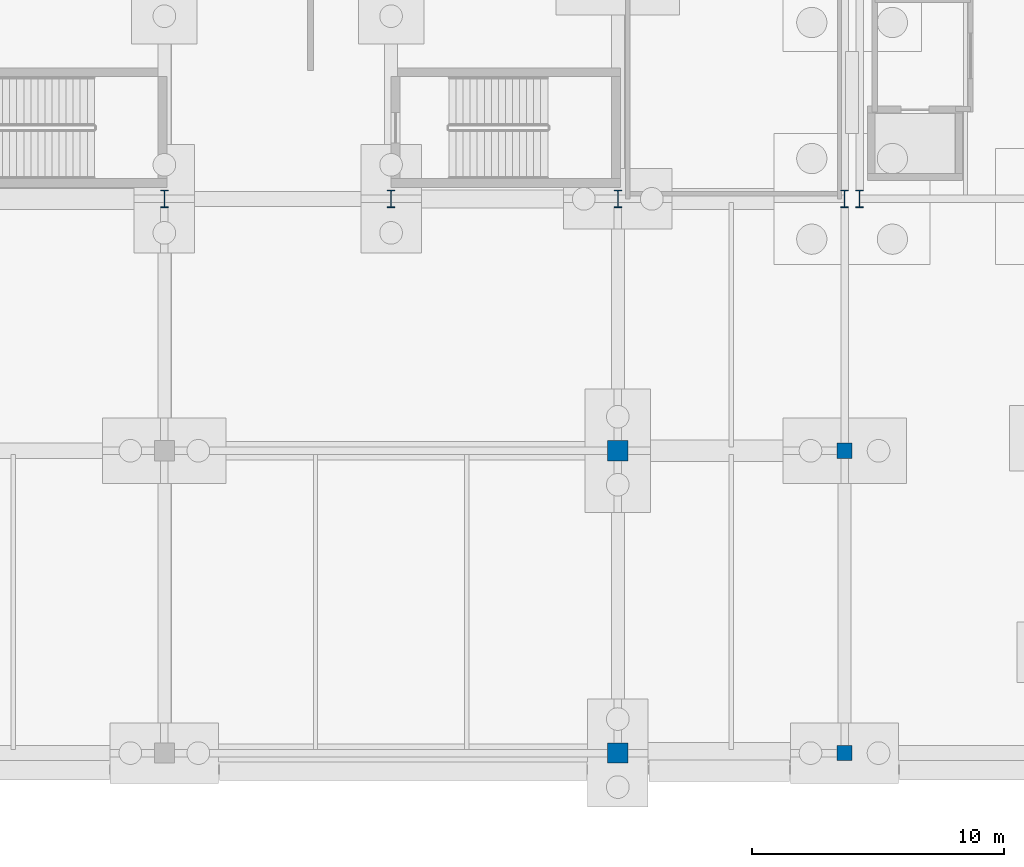
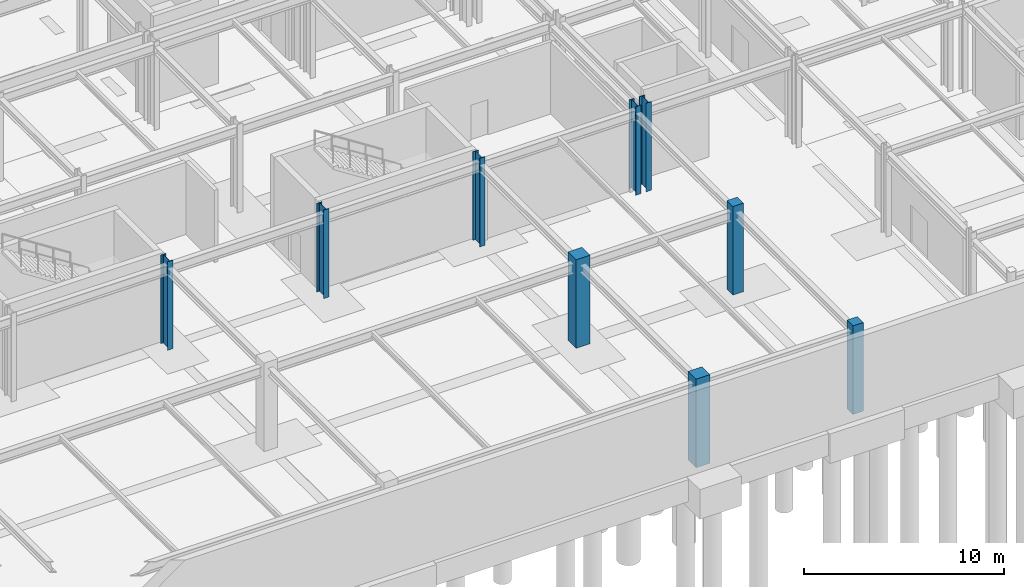
# One storey, part 18 of 65: 9 columns.
"""IFC4 building model written with IfcOpenShell, lengths in metres."""

import ifcopenshell
import ifcopenshell.guid

model = None  # the IFC model being written
_history = None  # IfcOwnerHistory: only IFC2X3 demands one
_inside = {}  # id of a spatial element -> (the spatial element, [elements in it])
_under = {}  # id of a project, library or spatial element -> (it, [spatial elements below it])
_declared = {}  # id of a project -> (the project, [libraries it declares])
_typed = {}  # id of a type object -> (the type object, [elements of that type])
_made_of = {}  # id of a material, layer set ... -> (it, [elements and type objects made of it])


def new_model(schema):
    """Start an empty IFC model of exactly this schema.

    Asked for "IFC4X3", IfcOpenShell would pick the latest addendum, in which some entities
    have other attributes; the version numbers below select the first issue.
    IFC2X3 requires an IfcOwnerHistory on every rooted entity: one is made here for all.
    """
    global model, _history
    if schema == "IFC4X3":
        model = ifcopenshell.file(schema_version=(4, 3, 0, 0))
    else:
        model = ifcopenshell.file(schema=schema)
    _inside.clear()
    _under.clear()
    _declared.clear()
    _typed.clear()
    _made_of.clear()
    _history = None
    if model.schema == "IFC2X3":
        org = make("IfcOrganization", Name="unknown")
        user = make(
            "IfcPersonAndOrganization",
            ThePerson=make("IfcPerson", FamilyName="unknown"),
            TheOrganization=org,
        )
        app = make(
            "IfcApplication",
            ApplicationDeveloper=org,
            Version="unknown",
            ApplicationFullName="unknown",
            ApplicationIdentifier="unknown",
        )
        _history = make(
            "IfcOwnerHistory",
            OwningUser=user,
            OwningApplication=app,
            ChangeAction="ADDED",
            CreationDate=0,
        )
    return model


def make(cls, **values):
    """One entity of the class cls with the attributes given. An attribute that is None is left unset."""
    return model.create_entity(
        cls, **{name: value for name, value in values.items() if value is not None}
    )


def rooted(cls, **values):
    """An entity with a GlobalId (a new one), such as an element, a storey or a relation."""
    return make(cls, GlobalId=ifcopenshell.guid.new(), OwnerHistory=_history, **values)


def si_unit(unit_type, name, prefix=None):
    """IfcSIUnit, for example si_unit("LENGTHUNIT", "METRE", prefix="MILLI")."""
    return make("IfcSIUnit", UnitType=unit_type, Prefix=prefix, Name=name)


def assignment(units):
    """IfcUnitAssignment: the units of a project."""
    return None if units is None else make("IfcUnitAssignment", Units=units)


def point(xyz):
    """IfcCartesianPoint."""
    return None if xyz is None else make("IfcCartesianPoint", Coordinates=xyz)


def direction(xyz):
    """IfcDirection."""
    return None if xyz is None else make("IfcDirection", DirectionRatios=xyz)


def frame(location, z_axis=None, x_axis=None):
    """IfcAxis2Placement3D, a coordinate frame: its origin and axes. An axis left out is left unset."""
    return make(
        "IfcAxis2Placement3D",
        Location=point(location),
        Axis=direction(z_axis),
        RefDirection=direction(x_axis),
    )


def frame_2d(location, x_axis=None):
    """IfcAxis2Placement2D, a coordinate frame in the plane: its origin and x axis."""
    return make(
        "IfcAxis2Placement2D", Location=point(location), RefDirection=direction(x_axis)
    )


def origin():
    """The frame at (0, 0, 0) with its axes left unset."""
    return frame((0.0, 0.0, 0.0))


def origin_2d():
    """The frame at (0, 0) in the plane with its x axis left unset."""
    return frame_2d((0.0, 0.0))


def place(relative_to, where):
    """IfcLocalPlacement: puts the frame where relative to a parent placement (None: the world)."""
    return make(
        "IfcLocalPlacement", PlacementRelTo=relative_to, RelativePlacement=where
    )


def context(
    kind, dimensions, precision=None, world=None, true_north=None, identifier=None
):
    """IfcGeometricRepresentationContext, for example the 3D "Model" context."""
    return make(
        "IfcGeometricRepresentationContext",
        ContextIdentifier=identifier,
        ContextType=kind,
        CoordinateSpaceDimension=dimensions,
        Precision=precision,
        WorldCoordinateSystem=world,
        TrueNorth=true_north,
    )


def subcontext(parent, identifier, kind, view, scale=None):
    """IfcGeometricRepresentationSubContext, for example "Body" below "Model"."""
    return make(
        "IfcGeometricRepresentationSubContext",
        ContextIdentifier=identifier,
        ContextType=kind,
        ParentContext=parent,
        TargetScale=scale,
        TargetView=view,
    )


def project(units=None, contexts=None):
    """IfcProject with its units and contexts."""
    return rooted(
        "IfcProject",
        Name="project",
        RepresentationContexts=contexts,
        UnitsInContext=assignment(units),
    )


def spatial(cls, under=None, at=None, **own):
    """A site, building, storey or space (cls), placed at a placement, below another one or the project."""
    s = rooted(cls, ObjectPlacement=at, **own)
    if under is not None:
        _under.setdefault(under.id(), (under, []))[1].append(s)
    return s


def profile(cls, at=None, kind="AREA", **sizes):
    """A parametric profile (cls). Its sizes go by their IFC names, for example OverallWidth=200.0."""
    return make(cls, ProfileType=kind, Position=at, **sizes)


def rectangle(**sizes):
    """IfcRectangleProfileDef."""
    return profile("IfcRectangleProfileDef", **sizes)


def i_section(**sizes):
    """IfcIShapeProfileDef."""
    return profile("IfcIShapeProfileDef", **sizes)


def extrude(swept, where, along, depth):
    """IfcExtrudedAreaSolid: the profile swept, set in the frame where, extruded along a direction by depth."""
    return make(
        "IfcExtrudedAreaSolid",
        SweptArea=swept,
        Position=where,
        ExtrudedDirection=direction(along),
        Depth=depth,
    )


def shape(context_of_items, identifier, shape_type, items):
    """IfcShapeRepresentation: the items that make up one representation, for example the "Body"."""
    return make(
        "IfcShapeRepresentation",
        ContextOfItems=context_of_items,
        RepresentationIdentifier=identifier,
        RepresentationType=shape_type,
        Items=items,
    )


def material(Name=None, Category=None):
    """IfcMaterial."""
    return make("IfcMaterial", Name=Name, Category=Category)


def material_profile(
    of_material, cross_section, Name=None, Category=None, Priority=None
):
    """IfcMaterialProfile: a cross section and its material."""
    return make(
        "IfcMaterialProfile",
        Name=Name,
        Material=of_material,
        Profile=cross_section,
        Priority=Priority,
        Category=Category,
    )


def profile_set(profiles, Name=None, composite=None):
    """IfcMaterialProfileSet."""
    return make(
        "IfcMaterialProfileSet",
        Name=Name,
        MaterialProfiles=profiles,
        CompositeProfile=composite,
    )


def made_of(thing, what):
    """Note that an element or type object is made of a material, layer set ...; save() writes the relation."""
    if what is not None:
        _made_of.setdefault(what.id(), (what, []))[1].append(thing)
    return thing


def type_object(cls, material=None, **own):
    """A type object (cls), such as IfcWallType, which elements share."""
    return made_of(rooted(cls, **own), material)


def element(
    cls,
    number,
    at=None,
    inside=None,
    cuts=None,
    type_object=None,
    material=None,
    context=None,
    identifier="Body",
    shape_type=None,
    held_by="IfcProductDefinitionShape",
    body=None,
    shapes=None,
    **own,
):
    """One element of the class cls, such as IfcWall. Its Tag is "e" and its number.

    at: its placement. inside: the storey or other place that contains it. cuts: it is an
    opening in that element (IfcRelVoidsElement). A single representation is given by context,
    identifier, shape_type and body (its items); several are given by shapes. held_by: the class
    of the entity that holds the representations. save() writes the other relations.
    """
    e = rooted(cls, Tag="e%d" % number, ObjectPlacement=at, **own)
    if body is not None:
        shapes = [shape(context, identifier, shape_type, body)]
    if shapes is not None:
        e.Representation = make(held_by, Representations=shapes)
    if inside is not None:
        _inside.setdefault(inside.id(), (inside, []))[1].append(e)
    if cuts is not None:
        rooted(
            "IfcRelVoidsElement", RelatingBuildingElement=cuts, RelatedOpeningElement=e
        )
    if type_object is not None:
        _typed.setdefault(type_object.id(), (type_object, []))[1].append(e)
    return made_of(e, material)


def aggregate(whole, parts):
    """IfcRelAggregates: a whole, such as a stair, and the parts it consists of."""
    return rooted("IfcRelAggregates", RelatingObject=whole, RelatedObjects=parts)


def save(model, path):
    """Write the relations noted so far, then the file.

    IfcRelAggregates (storeys below a building ...), IfcRelContainedInSpatialStructure (elements
    in a storey), IfcRelDefinesByType, IfcRelAssociatesMaterial and IfcRelDeclares: one each for
    every whole, place, type object, material and project.
    """
    for whole, parts in _under.values():
        aggregate(whole, parts)
    for where, things in _inside.values():
        rooted(
            "IfcRelContainedInSpatialStructure",
            RelatedElements=things,
            RelatingStructure=where,
        )
    for kind, things in _typed.values():
        rooted("IfcRelDefinesByType", RelatedObjects=things, RelatingType=kind)
    for what, things in _made_of.values():
        rooted("IfcRelAssociatesMaterial", RelatedObjects=things, RelatingMaterial=what)
    for by, libraries in _declared.values():
        rooted("IfcRelDeclares", RelatingContext=by, RelatedDefinitions=libraries)
    model.write(path)


model = new_model("IFC4")

# Units and contexts
model_context = context("Model", 3, precision=1e-05, world=origin(), true_north=direction((0.0, 1.0)))
body_context = subcontext(model_context, "Body", "Model", "MODEL_VIEW")
ifc_project = project(units=[si_unit("LENGTHUNIT", "METRE"), si_unit("AREAUNIT", "SQUARE_METRE"), si_unit("VOLUMEUNIT", "CUBIC_METRE"), si_unit("PLANEANGLEUNIT", "RADIAN"), si_unit("MASSUNIT", "GRAM", prefix="KILO")], contexts=[model_context])

# Site, building, storey
site_placement = place(None, origin())
site = spatial("IfcSite", under=ifc_project, at=site_placement, CompositionType="ELEMENT")
building_placement = place(site_placement, origin())
building = spatial("IfcBuilding", under=site, at=building_placement, Name="Kaldris Quays Convention Centre", CompositionType="ELEMENT")
storey_placement = place(building_placement, frame((0.0, 0.0, -5.39990234375)))
storey = spatial("IfcBuildingStorey", under=building, at=storey_placement, Name="B1", CompositionType="ELEMENT", Elevation=-5.39990234375)

# Columns
ifc_material_1 = material(Name="Steel S355J2", Category="steel")
ifc_material_profile_1 = material_profile(ifc_material_1, i_section(OverallWidth=0.300048828125, OverallDepth=0.699951171875, WebThickness=0.01708984375, FlangeThickness=0.031982421875, FilletRadius=0.027099609375, at=origin_2d()), Name="HEB 700")
ifc_profile_set_1 = profile_set([ifc_material_profile_1], Name="Steel S355J2")
column_type_1 = type_object("IfcColumnType", Name="STRUCTURAL COLUMN CL05", PredefinedType="COLUMN", material=ifc_profile_set_1)
for number, where, z_axis, x_axis, name in (
    (1, (119.0, 38.0, 0.0), (0.0, 0.0, 1.0), (1.0, 0.0, 0.0), "B1 V4 Column CL05 (119.00, 38.00)"),
    (2, (128.0, 38.0, 0.0), (0.0, 0.0, 1.0), (1.0, 0.0, 0.0), "B1 V4 Column CL05 (128.00, 38.00)"),
    (3, (137.0, 38.0, 0.0), (0.0, 0.0, 1.0), (1.0, 0.0, 0.0), "B1 V4 Column CL05 (137.00, 38.00)"),
    (4, (146.0, 38.0, 0.0), (0.0, 0.0, 1.0), (1.0, 0.0, 0.0), "B1 V4 Column CL05 (146.00, 38.00)"),
    (5, (146.60009765625, 38.0, 0.0), (0.0, 0.0, 1.0), (1.0, 0.0, 0.0), "B1 V4 Column CL05 (146.60, 38.00)"),
):
    element("IfcColumn", number, at=place(storey_placement, frame(where, z_axis=z_axis, x_axis=x_axis)), inside=storey, type_object=column_type_1, Name=name, PredefinedType="COLUMN", context=body_context, shape_type="SweptSolid", body=[
        extrude(i_section(OverallWidth=0.300048828125, OverallDepth=0.699951171875, WebThickness=0.01708984375, FlangeThickness=0.031982421875, FilletRadius=0.027099609375, at=origin_2d()), origin(), (0.0, 0.0, 1.0), 5.39990234375),
    ])
ifc_material_2 = material(Name="Concrete C40/50", Category="concrete")
ifc_material_profile_2 = material_profile(ifc_material_2, rectangle(XDim=0.800048828125, YDim=0.800048828125, at=origin_2d()), Name="RC 800x800")
ifc_profile_set_2 = profile_set([ifc_material_profile_2], Name="Concrete C40/50")
column_type_2 = type_object("IfcColumnType", Name="STRUCTURAL COLUMN CL14", PredefinedType="COLUMN", material=ifc_profile_set_2)
for number, where, z_axis, x_axis, name in (
    (6, (137.0, 16.0, 0.0), (0.0, 0.0, 1.0), (1.0, 0.0, 0.0), "B1 V4 Column CL14 (137.00, 16.00)"),
    (7, (137.0, 28.0, 0.0), (0.0, 0.0, 1.0), (1.0, 0.0, 0.0), "B1 V4 Column CL14 (137.00, 28.00)"),
):
    element("IfcColumn", number, at=place(storey_placement, frame(where, z_axis=z_axis, x_axis=x_axis)), inside=storey, type_object=column_type_2, Name=name, PredefinedType="COLUMN", context=body_context, shape_type="SweptSolid", body=[
        extrude(rectangle(XDim=0.800048828125, YDim=0.800048828125, at=origin_2d()), origin(), (0.0, 0.0, 1.0), 5.39990234375),
    ])
ifc_material_profile_3 = material_profile(ifc_material_2, rectangle(XDim=0.60009765625, YDim=0.60009765625, at=origin_2d()), Name="RC 600x600")
ifc_profile_set_3 = profile_set([ifc_material_profile_3], Name="Concrete C40/50")
column_type_3 = type_object("IfcColumnType", Name="STRUCTURAL COLUMN CL15", PredefinedType="COLUMN", material=ifc_profile_set_3)
for number, where, z_axis, x_axis, name in (
    (8, (146.0, 16.0, 0.0), (0.0, 0.0, 1.0), (1.0, 0.0, 0.0), "B1 V4 Column CL15 (146.00, 16.00)"),
    (9, (146.0, 28.0, 0.0), (0.0, 0.0, 1.0), (1.0, 0.0, 0.0), "B1 V4 Column CL15 (146.00, 28.00)"),
):
    element("IfcColumn", number, at=place(storey_placement, frame(where, z_axis=z_axis, x_axis=x_axis)), inside=storey, type_object=column_type_3, Name=name, PredefinedType="COLUMN", context=body_context, shape_type="SweptSolid", body=[
        extrude(rectangle(XDim=0.60009765625, YDim=0.60009765625, at=origin_2d()), origin(), (0.0, 0.0, 1.0), 5.39990234375),
    ])

save(model, "model.ifc")
